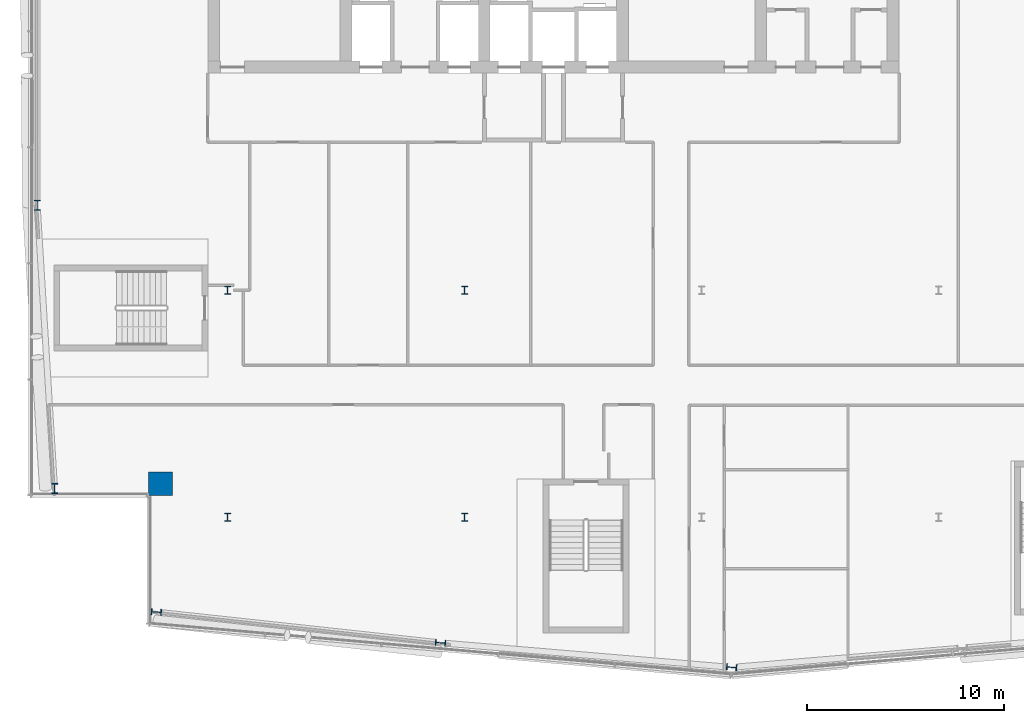
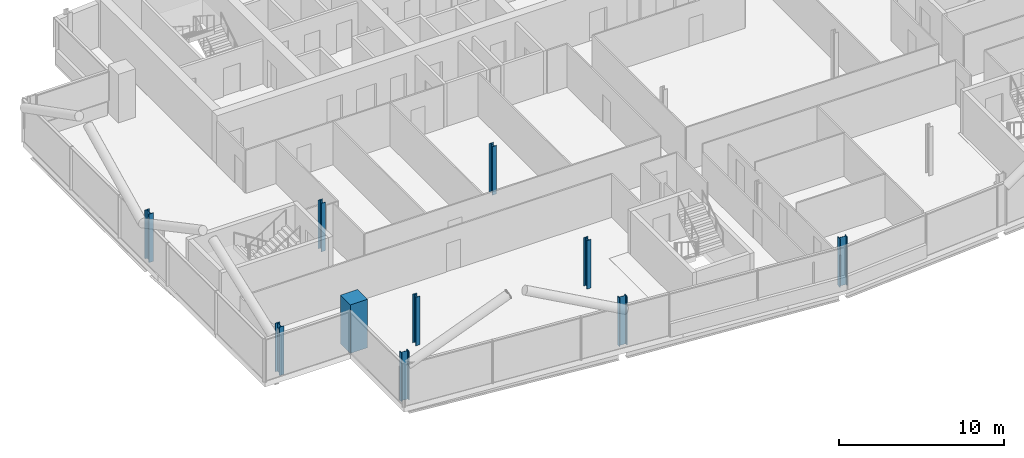
# One storey, part 1 of 27: 10 columns.
"""IFC4 building model written with IfcOpenShell, lengths in metres."""

from ifc_helpers import new_model, si_unit, direction, frame, origin, origin_2d, place, context, subcontext, project, spatial, rectangle, i_section, extrude, material, material_profile, profile_set, type_object, element, save


model = new_model("IFC4")

# Units and contexts
model_context = context("Model", 3, precision=1e-05, world=origin(), true_north=direction((0.0, 1.0)))
body_context = subcontext(model_context, "Body", "Model", "MODEL_VIEW")
ifc_project = project(units=[si_unit("LENGTHUNIT", "METRE"), si_unit("AREAUNIT", "SQUARE_METRE"), si_unit("VOLUMEUNIT", "CUBIC_METRE"), si_unit("PLANEANGLEUNIT", "RADIAN"), si_unit("MASSUNIT", "GRAM", prefix="KILO")], contexts=[model_context])

# Site, building, storey
site_placement = place(None, origin())
site = spatial("IfcSite", under=ifc_project, at=site_placement, CompositionType="ELEMENT")
building_placement = place(site_placement, origin())
building = spatial("IfcBuilding", under=site, at=building_placement, Name="Wharfspan Tower", CompositionType="ELEMENT")
storey_placement = place(building_placement, frame((0.0, 0.0, 210.699951)))
storey = spatial("IfcBuildingStorey", under=building, at=storey_placement, Name="L52", CompositionType="ELEMENT", Elevation=210.699951)

# Columns
ifc_material_1 = material(Name="Steel S355J2", Category="steel")
ifc_material_profile_1 = material_profile(ifc_material_1, i_section(OverallWidth=0.300049, OverallDepth=0.399902, WebThickness=0.013428, FlangeThickness=0.023926, FilletRadius=0.0271, at=origin_2d()))
ifc_profile_set_1 = profile_set([ifc_material_profile_1], Name="Steel S355J2")
column_type_1 = type_object("IfcColumnType", Name="Column HEB 400", PredefinedType="COLUMN", material=ifc_profile_set_1)
for number, where, z_axis, x_axis, name in (
    (1, (24.0, 11.5, 0.0), (0.0, 0.0, 1.0), (1.0, 0.0, 0.0), "Interior column I.1.1 L52"),
    (2, (36.0, 11.5, 0.0), (0.0, 0.0, 1.0), (1.0, 0.0, 0.0), "Interior column I.1.2 L52"),
    (3, (24.0, 23.0, 0.0), (0.0, 0.0, 1.0), (1.0, 0.0, 0.0), "Interior column I.2.1 L52"),
    (4, (36.0, 23.0, 0.0), (0.0, 0.0, 1.0), (1.0, 0.0, 0.0), "Interior column I.2.2 L52"),
):
    element("IfcColumn", number, at=place(storey_placement, frame(where, z_axis=z_axis, x_axis=x_axis)), inside=storey, type_object=column_type_1, Name=name, PredefinedType="COLUMN", context=body_context, shape_type="SweptSolid", body=[
        extrude(i_section(OverallWidth=0.300049, OverallDepth=0.399902, WebThickness=0.013428, FlangeThickness=0.023926, FilletRadius=0.0271, at=origin_2d()), origin(), (0.0, 0.0, 1.0), 3.600098),
    ])
ifc_material_profile_2 = material_profile(ifc_material_1, i_section(OverallWidth=0.305908, OverallDepth=0.523926, WebThickness=0.020996, FlangeThickness=0.040039, FilletRadius=0.0271, at=origin_2d()))
ifc_profile_set_2 = profile_set([ifc_material_profile_2], Name="Steel S355J2")
column_type_2 = type_object("IfcColumnType", Name="Column HEM 500", PredefinedType="COLUMN", material=ifc_profile_set_2)
for number, where, z_axis, x_axis, name in (
    (5, (20.392334, 6.702637, 0.0), (0.0, 0.0, 1.0), (-0.087156, -0.996197, 0.0), "Perimeter column PS1.1 L52"),
    (6, (34.781494, 5.143311, 0.0), (0.0, 0.0, 1.0), (-0.087156, -0.996197, 0.0), "Perimeter column PS1.2 L52"),
    (7, (49.522949, 3.9021, 0.0), (0.0, 0.0, 1.0), (-0.087156, -0.996197, 0.0), "Perimeter column PS1.3 L52"),
    (8, (14.360107, 27.300049, 0.0), (0.0, 0.0, 1.0), (-1.0, 0.0, 0.0), "Perimeter column PW.1 L52"),
    (9, (15.237793, 12.963379, 0.0), (0.0, 0.0, 1.0), (-1.0, 0.0, 0.0), "Perimeter column PW.2 L52"),
):
    element("IfcColumn", number, at=place(storey_placement, frame(where, z_axis=z_axis, x_axis=x_axis)), inside=storey, type_object=column_type_2, Name=name, PredefinedType="COLUMN", context=body_context, shape_type="SweptSolid", body=[
        extrude(i_section(OverallWidth=0.305908, OverallDepth=0.523926, WebThickness=0.020996, FlangeThickness=0.040039, FilletRadius=0.0271, at=origin_2d()), origin(), (0.0, 0.0, 1.0), 3.600098),
    ])
ifc_material_2 = material(Name="Concrete C50/60", Category="concrete")
ifc_material_profile_3 = material_profile(ifc_material_2, rectangle(XDim=1.199951, YDim=1.199951, at=origin_2d()))
ifc_profile_set_3 = profile_set([ifc_material_profile_3], Name="Concrete C50/60")
column_type_3 = type_object("IfcColumnType", Name="Mega column 1200 C50/60", PredefinedType="COLUMN", material=ifc_profile_set_3)
column_placement = place(storey_placement, frame((20.600098, 13.199951, 0.0), z_axis=(0.0, 0.0, 1.0), x_axis=(1.0, 0.0, 0.0)))
element("IfcColumn", 10, at=column_placement, inside=storey, type_object=column_type_3, Name="Mega column MC1 L52", PredefinedType="COLUMN", context=body_context, shape_type="SweptSolid", body=[
    extrude(rectangle(XDim=1.199951, YDim=1.199951, at=origin_2d()), origin(), (0.0, 0.0, 1.0), 3.600098),
])

save(model, "model.ifc")
